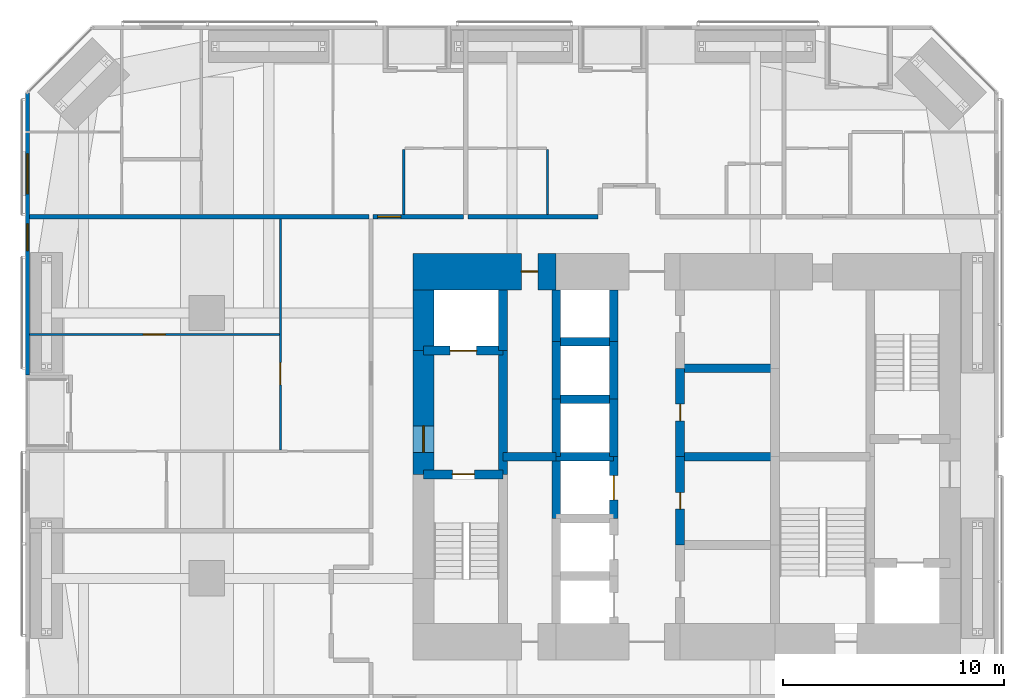
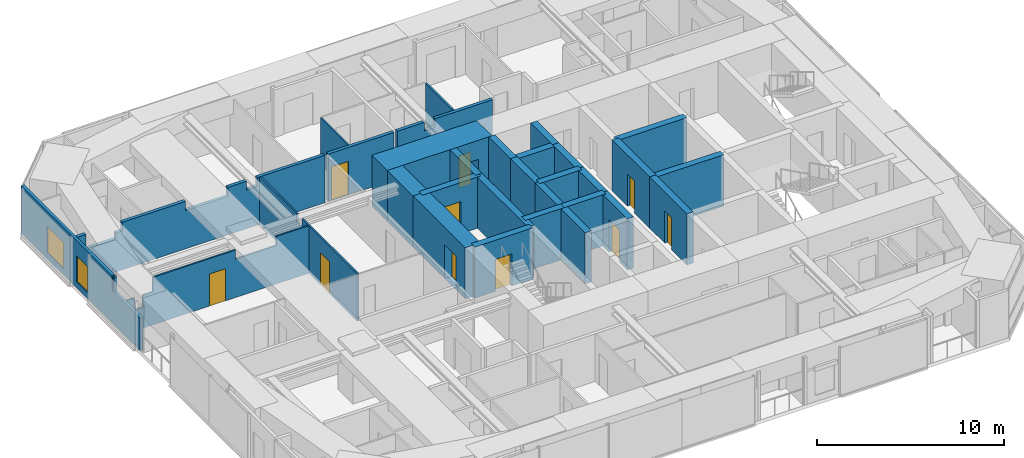
# One storey, part 19 of 24: 31 walls, 10 doors, 2 windows, 12 openings.
"""IFC4 building model written with IfcOpenShell, lengths in metres."""

from ifc_helpers import new_model, si_unit, direction, frame, frame_2d, origin, place, context, subcontext, project, spatial, polyline, rectangle, outline, extrude, material, layer, layer_set, constituent, constituent_set, type_object, element, fill, save


model = new_model("IFC4")

# Units and contexts
model_context = context("Model", 3, precision=1e-05, world=origin(), true_north=direction((0.0, 1.0)))
body_context = subcontext(model_context, "Body", "Model", "MODEL_VIEW")
ifc_project = project(units=[si_unit("LENGTHUNIT", "METRE"), si_unit("AREAUNIT", "SQUARE_METRE"), si_unit("VOLUMEUNIT", "CUBIC_METRE"), si_unit("PLANEANGLEUNIT", "RADIAN"), si_unit("MASSUNIT", "GRAM", prefix="KILO")], contexts=[model_context])

# Site, building, storey
site_placement = place(None, origin())
site = spatial("IfcSite", under=ifc_project, at=site_placement, CompositionType="ELEMENT")
building_placement = place(site_placement, origin())
building = spatial("IfcBuilding", under=site, at=building_placement, Name="Jalousie Tower", CompositionType="ELEMENT")
storey_placement = place(building_placement, frame((0.0, 0.0, 44.449951171875)))
storey = spatial("IfcBuildingStorey", under=building, at=storey_placement, Name="L11", CompositionType="ELEMENT", Elevation=44.449951171875)

# Wall, opening, door
ifc_material_1 = material(Name="Concrete f'c 120 MPa", Category="concrete")
ifc_layer_1 = layer(ifc_material_1, 1.64990234375)
ifc_layer_set_1 = layer_set([ifc_layer_1], Name="Concrete f'c 120 MPa")
wall_type_1 = type_object("IfcWallType", Name="CORE WALL 1650", PredefinedType="SHEAR", material=ifc_layer_set_1)
wall_1_placement = place(storey_placement, frame((26.0, 26.875, 0.0), z_axis=(0.0, 0.0, 1.0), x_axis=(-1.0, 0.0, 0.0)))
wall_1 = element("IfcWall", 1, at=wall_1_placement, inside=storey, type_object=wall_type_1, Name="Core wall ND L11", PredefinedType="SHEAR", context=body_context, shape_type="SweptSolid", body=[
    extrude(rectangle(XDim=6.47509765625, YDim=1.64990234375, at=frame_2d((3.237548828125, 0.0))), origin(), (0.0, 0.0, 1.0), 3.35009765625),
])
opening_1_placement = place(wall_1_placement, frame((0.824951171875, 0.0, 0.0)))
opening_1 = element("IfcOpeningElement", 2, at=opening_1_placement, cuts=wall_1, Name="Opening D16", PredefinedType="OPENING", context=body_context, shape_type="SweptSolid", body=[
    extrude(rectangle(XDim=0.75, YDim=2.10009765625, at=frame_2d((0.375, 1.050048828125))), frame((0.0, 0.8349609375, 0.0), z_axis=(0.0, -1.0, 0.0), x_axis=(1.0, 0.0, 0.0)), (0.0, 0.0, 1.0), 1.669921875),
])
ifc_material_2 = material(Name="Steel fire door", Category="steel")
door_type_1 = type_object("IfcDoorType", Name="RISER DOOR 750", OperationType="SINGLE_SWING_LEFT", PredefinedType="DOOR", material=ifc_material_2)
door_1_placement = place(opening_1_placement, origin())
door_1 = element("IfcDoor", 3, at=door_1_placement, inside=storey, type_object=door_type_1, Name="North riser door", OperationType="SINGLE_SWING_RIGHT", OverallHeight=2.10009765625, OverallWidth=0.75, PredefinedType="DOOR", context=body_context, shape_type="SweptSolid", body=[
    extrude(rectangle(XDim=0.75, YDim=2.10009765625, at=frame_2d((0.375, 1.050048828125))), frame((0.0, 0.02490234375, 0.0), z_axis=(0.0, -1.0, 0.0), x_axis=(1.0, 0.0, 0.0)), (0.0, 0.0, 1.0), 0.050048828125),
])
fill(opening_1, door_1)

# Walls
ifc_material_3 = material(Name="Concrete f'c 120 MPa", Category="concrete")
ifc_layer_2 = layer(ifc_material_3, 0.39990234375)
ifc_layer_set_2 = layer_set([ifc_layer_2], Name="Concrete f'c 120 MPa")
wall_type_2 = type_object("IfcWallType", Name="CORE WALL 400", PredefinedType="SHEAR", material=ifc_layer_set_2)
wall_2_placement = place(storey_placement, frame((23.60009765625, 17.699951171875, 0.0), z_axis=(0.0, 0.0, 1.0), x_axis=(0.0, 1.0, 0.0)))
element("IfcWall", 4, at=wall_2_placement, inside=storey, type_object=wall_type_2, Name="Core wall X23.6B L11", PredefinedType="SHEAR", context=body_context, shape_type="SweptSolid", body=[
    extrude(rectangle(XDim=5.60009765625, YDim=0.39990234375, at=frame_2d((2.800048828125, 0.0))), origin(), (0.0, 0.0, 1.0), 3.35009765625),
])
wall_3_placement = place(storey_placement, frame((23.60009765625, 23.300048828125, 0.0), z_axis=(0.0, 0.0, 1.0), x_axis=(0.0, 1.0, 0.0)))
element("IfcWall", 5, at=wall_3_placement, inside=storey, type_object=wall_type_2, Name="Core wall X23.6C L11", PredefinedType="SHEAR", context=body_context, shape_type="SweptSolid", body=[
    extrude(rectangle(XDim=2.75, YDim=0.39990234375, at=frame_2d((1.375, 0.0))), origin(), (0.0, 0.0, 1.0), 3.35009765625),
])
wall_4_placement = place(storey_placement, frame((26.0, 15.699951171875, 0.0), z_axis=(0.0, 0.0, 1.0), x_axis=(0.0, 1.0, 0.0)))
element("IfcWall", 6, at=wall_4_placement, inside=storey, type_object=wall_type_2, Name="Core wall X26C L11", PredefinedType="SHEAR", context=body_context, shape_type="SweptSolid", body=[
    extrude(rectangle(XDim=2.800048828125, YDim=0.39990234375, at=frame_2d((1.39990234375, 0.0))), origin(), (0.0, 0.0, 1.0), 3.35009765625),
])
wall_5_placement = place(storey_placement, frame((26.0, 18.5, 0.0), z_axis=(0.0, 0.0, 1.0), x_axis=(0.0, 1.0, 0.0)))
element("IfcWall", 7, at=wall_5_placement, inside=storey, type_object=wall_type_2, Name="Core wall X26D L11", PredefinedType="SHEAR", context=body_context, shape_type="SweptSolid", body=[
    extrude(rectangle(XDim=2.60009765625, YDim=0.39990234375, at=frame_2d((1.300048828125, 0.0))), origin(), (0.0, 0.0, 1.0), 3.35009765625),
])
wall_6_placement = place(storey_placement, frame((26.0, 21.10009765625, 0.0), z_axis=(0.0, 0.0, 1.0), x_axis=(0.0, 1.0, 0.0)))
element("IfcWall", 8, at=wall_6_placement, inside=storey, type_object=wall_type_2, Name="Core wall X26E L11", PredefinedType="SHEAR", context=body_context, shape_type="SweptSolid", body=[
    extrude(rectangle(XDim=2.599853515625, YDim=0.39990234375, at=frame_2d((1.2998046875, 0.0))), origin(), (0.0, 0.0, 1.0), 3.35009765625),
])
wall_7_placement = place(storey_placement, frame((26.0, 23.699951171875, 0.0), z_axis=(0.0, 0.0, 1.0), x_axis=(0.0, 1.0, 0.0)))
element("IfcWall", 9, at=wall_7_placement, inside=storey, type_object=wall_type_2, Name="Core wall X26F L11", PredefinedType="SHEAR", context=body_context, shape_type="SweptSolid", body=[
    extrude(rectangle(XDim=2.35009765625, YDim=0.39990234375, at=frame_2d((1.175048828125, 0.0))), origin(), (0.0, 0.0, 1.0), 3.35009765625),
])

# Wall, opening, door
wall_8_placement = place(storey_placement, frame((28.60009765625, 15.699951171875, 0.0), z_axis=(0.0, 0.0, 1.0), x_axis=(0.0, 1.0, 0.0)))
wall_8 = element("IfcWall", 10, at=wall_8_placement, inside=storey, type_object=wall_type_2, Name="Core wall X28.6C L11", PredefinedType="SHEAR", context=body_context, shape_type="SweptSolid", body=[
    extrude(rectangle(XDim=2.800048828125, YDim=0.39990234375, at=frame_2d((1.39990234375, 0.0))), origin(), (0.0, 0.0, 1.0), 3.35009765625),
])
opening_2_placement = place(wall_8_placement, frame((0.85009765625, 0.0, 0.0)))
opening_2 = element("IfcOpeningElement", 11, at=opening_2_placement, cuts=wall_8, Name="Opening LD1", PredefinedType="OPENING", context=body_context, shape_type="SweptSolid", body=[
    extrude(rectangle(XDim=1.10009765625, YDim=2.10009765625, at=frame_2d((0.550048828125, 1.050048828125))), frame((0.0, 0.2099609375, 0.0), z_axis=(0.0, -1.0, 0.0), x_axis=(1.0, 0.0, 0.0)), (0.0, 0.0, 1.0), 0.419921875),
])
ifc_material_4 = material(Name="Steel lift landing door", Category="steel")
door_type_2 = type_object("IfcDoorType", Name="LIFT LANDING DOOR 1100", OperationType="SLIDING_TO_LEFT", PredefinedType="DOOR", material=ifc_material_4)
door_2_placement = place(opening_2_placement, origin())
door_2 = element("IfcDoor", 12, at=door_2_placement, inside=storey, type_object=door_type_2, Name="Lift P3 landing door", OperationType="SLIDING_TO_LEFT", OverallHeight=2.10009765625, OverallWidth=1.10009765625, PredefinedType="DOOR", context=body_context, shape_type="SweptSolid", body=[
    extrude(rectangle(XDim=1.10009765625, YDim=2.10009765625, at=frame_2d((0.550048828125, 1.050048828125))), frame((0.0, 0.02490234375, 0.0), z_axis=(0.0, -1.0, 0.0), x_axis=(1.0, 0.0, 0.0)), (0.0, 0.0, 1.0), 0.050048828125),
])
fill(opening_2, door_2)

# Walls
wall_9_placement = place(storey_placement, frame((28.60009765625, 18.5, 0.0), z_axis=(0.0, 0.0, 1.0), x_axis=(0.0, 1.0, 0.0)))
element("IfcWall", 13, at=wall_9_placement, inside=storey, type_object=wall_type_2, Name="Core wall X28.6D L11", PredefinedType="SHEAR", context=body_context, shape_type="SweptSolid", body=[
    extrude(rectangle(XDim=2.60009765625, YDim=0.39990234375, at=frame_2d((1.300048828125, 0.0))), origin(), (0.0, 0.0, 1.0), 3.35009765625),
])
wall_10_placement = place(storey_placement, frame((28.60009765625, 21.10009765625, 0.0), z_axis=(0.0, 0.0, 1.0), x_axis=(0.0, 1.0, 0.0)))
element("IfcWall", 14, at=wall_10_placement, inside=storey, type_object=wall_type_2, Name="Core wall X28.6E L11", PredefinedType="SHEAR", context=body_context, shape_type="SweptSolid", body=[
    extrude(rectangle(XDim=2.599853515625, YDim=0.39990234375, at=frame_2d((1.2998046875, 0.0))), origin(), (0.0, 0.0, 1.0), 3.35009765625),
])
wall_11_placement = place(storey_placement, frame((28.60009765625, 23.699951171875, 0.0), z_axis=(0.0, 0.0, 1.0), x_axis=(0.0, 1.0, 0.0)))
element("IfcWall", 15, at=wall_11_placement, inside=storey, type_object=wall_type_2, Name="Core wall X28.6F L11", PredefinedType="SHEAR", context=body_context, shape_type="SweptSolid", body=[
    extrude(rectangle(XDim=2.35009765625, YDim=0.39990234375, at=frame_2d((1.175048828125, 0.0))), origin(), (0.0, 0.0, 1.0), 3.35009765625),
])

# Wall, opening, door
wall_12_placement = place(storey_placement, frame((31.60009765625, 14.5, 0.0), z_axis=(0.0, 0.0, 1.0), x_axis=(0.0, 1.0, 0.0)))
wall_12 = element("IfcWall", 16, at=wall_12_placement, inside=storey, type_object=wall_type_2, Name="Core wall X31.6B L11", PredefinedType="SHEAR", context=body_context, shape_type="SweptSolid", body=[
    extrude(rectangle(XDim=4.0, YDim=0.39990234375, at=frame_2d((2.0, 0.0))), origin(), (0.0, 0.0, 1.0), 3.35009765625),
])
opening_3_placement = place(wall_12_placement, frame((1.625, 0.0, 0.0)))
opening_3 = element("IfcOpeningElement", 17, at=opening_3_placement, cuts=wall_12, Name="Opening D16", PredefinedType="OPENING", context=body_context, shape_type="SweptSolid", body=[
    extrude(rectangle(XDim=0.75, YDim=2.10009765625, at=frame_2d((0.375, 1.050048828125))), frame((0.0, 0.2099609375, 0.0), z_axis=(0.0, -1.0, 0.0), x_axis=(1.0, 0.0, 0.0)), (0.0, 0.0, 1.0), 0.419921875),
])
door_3_placement = place(opening_3_placement, frame((0.75, 0.0, 0.0), z_axis=(0.0, 0.0, 1.0), x_axis=(-1.0, 0.0, 0.0)))
door_3 = element("IfcDoor", 18, at=door_3_placement, inside=storey, type_object=door_type_1, Name="Electrical Room door", OperationType="SINGLE_SWING_LEFT", OverallHeight=2.10009765625, OverallWidth=0.75, PredefinedType="DOOR", context=body_context, shape_type="SweptSolid", body=[
    extrude(rectangle(XDim=0.75, YDim=2.10009765625, at=frame_2d((0.375, 1.050048828125))), frame((0.0, 0.02490234375, 0.0), z_axis=(0.0, -1.0, 0.0), x_axis=(1.0, 0.0, 0.0)), (0.0, 0.0, 1.0), 0.050048828125),
])
fill(opening_3, door_3)

wall_13_placement = place(storey_placement, frame((31.60009765625, 18.5, 0.0), z_axis=(0.0, 0.0, 1.0), x_axis=(0.0, 1.0, 0.0)))
wall_13 = element("IfcWall", 19, at=wall_13_placement, inside=storey, type_object=wall_type_2, Name="Core wall X31.6C L11", PredefinedType="SHEAR", context=body_context, shape_type="SweptSolid", body=[
    extrude(rectangle(XDim=4.0, YDim=0.39990234375, at=frame_2d((2.0, 0.0))), origin(), (0.0, 0.0, 1.0), 3.35009765625),
])
opening_4_placement = place(wall_13_placement, frame((1.625, 0.0, 0.0)))
opening_4 = element("IfcOpeningElement", 20, at=opening_4_placement, cuts=wall_13, Name="Opening D16", PredefinedType="OPENING", context=body_context, shape_type="SweptSolid", body=[
    extrude(rectangle(XDim=0.75, YDim=2.10009765625, at=frame_2d((0.375, 1.050048828125))), frame((0.0, 0.2099609375, 0.0), z_axis=(0.0, -1.0, 0.0), x_axis=(1.0, 0.0, 0.0)), (0.0, 0.0, 1.0), 0.419921875),
])
door_4_placement = place(opening_4_placement, frame((0.75, 0.0, 0.0), z_axis=(0.0, 0.0, 1.0), x_axis=(-1.0, 0.0, 0.0)))
door_4 = element("IfcDoor", 21, at=door_4_placement, inside=storey, type_object=door_type_1, Name="Telecom Room door", OperationType="SINGLE_SWING_LEFT", OverallHeight=2.10009765625, OverallWidth=0.75, PredefinedType="DOOR", context=body_context, shape_type="SweptSolid", body=[
    extrude(rectangle(XDim=0.75, YDim=2.10009765625, at=frame_2d((0.375, 1.050048828125))), frame((0.0, 0.02490234375, 0.0), z_axis=(0.0, -1.0, 0.0), x_axis=(1.0, 0.0, 0.0)), (0.0, 0.0, 1.0), 0.050048828125),
])
fill(opening_4, door_4)

wall_14_placement = place(storey_placement, frame((20.0, 17.699951171875, 0.0), z_axis=(0.0, 0.0, 1.0), x_axis=(1.0, 0.0, 0.0)))
wall_14 = element("IfcWall", 22, at=wall_14_placement, inside=storey, type_object=wall_type_2, Name="Core wall Y20-17.7 L11", PredefinedType="SHEAR", context=body_context, shape_type="SweptSolid", body=[
    extrude(rectangle(XDim=3.60009765625, YDim=0.39990234375, at=frame_2d((1.800048828125, 0.0))), origin(), (0.0, 0.0, 1.0), 3.35009765625),
])
opening_5_placement = place(wall_14_placement, frame((1.300048828125, 0.0, 0.0)))
opening_5 = element("IfcOpeningElement", 23, at=opening_5_placement, cuts=wall_14, Name="Opening D10", PredefinedType="OPENING", context=body_context, shape_type="SweptSolid", body=[
    extrude(rectangle(XDim=1.0, YDim=2.10009765625, at=frame_2d((0.5, 1.050048828125))), frame((0.0, 0.2099609375, 0.0), z_axis=(0.0, -1.0, 0.0), x_axis=(1.0, 0.0, 0.0)), (0.0, 0.0, 1.0), 0.419921875),
])
ifc_material_5 = material(Name="Steel fire door", Category="steel")
door_type_3 = type_object("IfcDoorType", Name="STAIR DOOR 1000", OperationType="SINGLE_SWING_LEFT", PredefinedType="DOOR", material=ifc_material_5)
door_5_placement = place(opening_5_placement, frame((1.0, 0.0, 0.0), z_axis=(0.0, 0.0, 1.0), x_axis=(-1.0, 0.0, 0.0)))
door_5 = element("IfcDoor", 24, at=door_5_placement, inside=storey, type_object=door_type_3, Name="Exit stair A door", OperationType="SINGLE_SWING_RIGHT", OverallHeight=2.10009765625, OverallWidth=1.0, PredefinedType="DOOR", context=body_context, shape_type="SweptSolid", body=[
    extrude(rectangle(XDim=1.0, YDim=2.10009765625, at=frame_2d((0.5, 1.050048828125))), frame((0.0, 0.02490234375, 0.0), z_axis=(0.0, -1.0, 0.0), x_axis=(1.0, 0.0, 0.0)), (0.0, 0.0, 1.0), 0.050048828125),
])
fill(opening_5, door_5)

wall_15_placement = place(storey_placement, frame((20.0, 23.300048828125, 0.0), z_axis=(0.0, 0.0, 1.0), x_axis=(1.0, 0.0, 0.0)))
wall_15 = element("IfcWall", 25, at=wall_15_placement, inside=storey, type_object=wall_type_2, Name="Core wall Y20-23.3 L11", PredefinedType="SHEAR", context=body_context, shape_type="SweptSolid", body=[
    extrude(rectangle(XDim=3.60009765625, YDim=0.39990234375, at=frame_2d((1.800048828125, 0.0))), origin(), (0.0, 0.0, 1.0), 3.35009765625),
])
opening_6_placement = place(wall_15_placement, frame((1.199951171875, 0.0, 0.0)))
opening_6 = element("IfcOpeningElement", 26, at=opening_6_placement, cuts=wall_15, Name="Opening LD2", PredefinedType="OPENING", context=body_context, shape_type="SweptSolid", body=[
    extrude(rectangle(XDim=1.199951171875, YDim=2.10009765625, at=frame_2d((0.60009765625, 1.050048828125))), frame((0.0, 0.2099609375, 0.0), z_axis=(0.0, -1.0, 0.0), x_axis=(1.0, 0.0, 0.0)), (0.0, 0.0, 1.0), 0.419921875),
])
ifc_material_6 = material(Name="Steel lift landing door", Category="steel")
door_type_4 = type_object("IfcDoorType", Name="LIFT LANDING DOOR 1200", OperationType="SLIDING_TO_LEFT", PredefinedType="DOOR", material=ifc_material_6)
door_6_placement = place(opening_6_placement, origin())
door_6 = element("IfcDoor", 27, at=door_6_placement, inside=storey, type_object=door_type_4, Name="Lift F1 landing door", OperationType="SLIDING_TO_LEFT", OverallHeight=2.10009765625, OverallWidth=1.199951171875, PredefinedType="DOOR", context=body_context, shape_type="SweptSolid", body=[
    extrude(rectangle(XDim=1.199951171875, YDim=2.10009765625, at=frame_2d((0.60009765625, 1.050048828125))), frame((0.0, 0.02490234375, 0.0), z_axis=(0.0, -1.0, 0.0), x_axis=(1.0, 0.0, 0.0)), (0.0, 0.0, 1.0), 0.050048828125),
])
fill(opening_6, door_6)

# Walls
wall_16_placement = place(storey_placement, frame((23.60009765625, 18.5, 0.0), z_axis=(0.0, 0.0, 1.0), x_axis=(1.0, 0.0, 0.0)))
element("IfcWall", 28, at=wall_16_placement, inside=storey, type_object=wall_type_2, Name="Core wall Y23.6-18.5 L11", PredefinedType="SHEAR", context=body_context, shape_type="SweptSolid", body=[
    extrude(rectangle(XDim=2.39990234375, YDim=0.39990234375, at=frame_2d((1.199951171875, 0.0))), origin(), (0.0, 0.0, 1.0), 3.35009765625),
])
for number, where, z_axis, x_axis, name in (
    (29, (26.0, 18.5, 0.0), (0.0, 0.0, 1.0), (1.0, 0.0, 0.0), "Core wall Y26-18.5 L11"),
    (30, (26.0, 21.10009765625, 0.0), (0.0, 0.0, 1.0), (1.0, 0.0, 0.0), "Core wall Y26-21.1 L11"),
    (31, (26.0, 23.699951171875, 0.0), (0.0, 0.0, 1.0), (1.0, 0.0, 0.0), "Core wall Y26-23.7 L11"),
):
    element("IfcWall", number, at=place(storey_placement, frame(where, z_axis=z_axis, x_axis=x_axis)), inside=storey, type_object=wall_type_2, Name=name, PredefinedType="SHEAR", context=body_context, shape_type="SweptSolid", body=[
        extrude(rectangle(XDim=2.60009765625, YDim=0.39990234375, at=frame_2d((1.300048828125, 0.0))), origin(), (0.0, 0.0, 1.0), 3.35009765625),
    ])
for number, where, z_axis, x_axis, name in (
    (32, (31.60009765625, 18.5, 0.0), (0.0, 0.0, 1.0), (1.0, 0.0, 0.0), "Core wall Y31.6-18.5 L11"),
    (33, (31.60009765625, 22.5, 0.0), (0.0, 0.0, 1.0), (1.0, 0.0, 0.0), "Core wall Y31.6-22.5 L11"),
):
    element("IfcWall", number, at=place(storey_placement, frame(where, z_axis=z_axis, x_axis=x_axis)), inside=storey, type_object=wall_type_2, Name=name, PredefinedType="SHEAR", context=body_context, shape_type="SweptSolid", body=[
        extrude(rectangle(XDim=4.2998046875, YDim=0.39990234375, at=frame_2d((2.14990234375, 0.0))), origin(), (0.0, 0.0, 1.0), 3.35009765625),
    ])
ifc_material_7 = material(Name="Concrete f'c 120 MPa", Category="concrete")
ifc_layer_3 = layer(ifc_material_7, 0.949951171875)
ifc_layer_set_3 = layer_set([ifc_layer_3], Name="Concrete f'c 120 MPa")
wall_type_3 = type_object("IfcWallType", Name="CORE WALL 950", PredefinedType="SHEAR", material=ifc_layer_set_3)
wall_17_placement = place(storey_placement, frame((20.0, 26.050048828125, 0.0), z_axis=(0.0, 0.0, 1.0), x_axis=(0.0, -1.0, 0.0)))
element("IfcWall", 34, at=wall_17_placement, inside=storey, type_object=wall_type_3, Name="Core wall WA L11", PredefinedType="SHEAR", context=body_context, shape_type="SweptSolid", body=[
    extrude(rectangle(XDim=2.75, YDim=0.949951171875, at=frame_2d((1.375, 0.0))), origin(), (0.0, 0.0, 1.0), 3.35009765625),
])

# Wall, opening, door
wall_18_placement = place(storey_placement, frame((20.0, 23.300048828125, 0.0), z_axis=(0.0, 0.0, 1.0), x_axis=(0.0, -1.0, 0.0)))
wall_18 = element("IfcWall", 35, at=wall_18_placement, inside=storey, type_object=wall_type_3, Name="Core wall WB L11", PredefinedType="SHEAR", context=body_context, shape_type="SweptSolid", body=[
    extrude(rectangle(XDim=5.60009765625, YDim=0.949951171875, at=frame_2d((2.800048828125, 0.0))), origin(), (0.0, 0.0, 1.0), 3.35009765625),
])
opening_7_placement = place(wall_18_placement, frame((3.39990234375, 0.0, 0.0)))
opening_7 = element("IfcOpeningElement", 36, at=opening_7_placement, cuts=wall_18, Name="Opening D11", PredefinedType="OPENING", context=body_context, shape_type="SweptSolid", body=[
    extrude(rectangle(XDim=1.199951171875, YDim=2.199951171875, at=frame_2d((0.60009765625, 1.10009765625))), frame((0.0, 0.48486328125, 0.0), z_axis=(0.0, -1.0, 0.0), x_axis=(1.0, 0.0, 0.0)), (0.0, 0.0, 1.0), 0.969970703125),
])
ifc_material_8 = material(Name="Steel fire door", Category="steel")
door_type_5 = type_object("IfcDoorType", Name="FIRE DOOR 1200", OperationType="SINGLE_SWING_LEFT", PredefinedType="DOOR", material=ifc_material_8)
door_7_placement = place(opening_7_placement, origin())
door_7 = element("IfcDoor", 37, at=door_7_placement, inside=storey, type_object=door_type_5, Name="Fire-fighting lobby A door", OperationType="SINGLE_SWING_RIGHT", OverallHeight=2.199951171875, OverallWidth=1.199951171875, PredefinedType="DOOR", context=body_context, shape_type="SweptSolid", body=[
    extrude(rectangle(XDim=1.199951171875, YDim=2.199951171875, at=frame_2d((0.60009765625, 1.10009765625))), frame((0.0, 0.02490234375, 0.0), z_axis=(0.0, -1.0, 0.0), x_axis=(1.0, 0.0, 0.0)), (0.0, 0.0, 1.0), 0.050048828125),
])
fill(opening_7, door_7)

ifc_material_9 = material(Name="Concrete block ASTM C90", Category="concrete")
ifc_constituent_1 = constituent(ifc_material_9, Name="Body")
ifc_material_10 = material(Name="Render")
ifc_constituent_2 = constituent(ifc_material_10, Name="Finish")
ifc_constituent_set_1 = constituent_set(constituents=[ifc_constituent_1, ifc_constituent_2])
wall_type_4 = type_object("IfcWallType", Name="CORRIDOR WALL 200", PredefinedType="PARTITIONING", material=ifc_constituent_set_1)
wall_19_placement = place(storey_placement, frame((17.72509765625, 29.35009765625, 0.0), z_axis=(0.0, 0.0, 1.0), x_axis=(1.0, 0.0, 0.0)))
wall_19 = element("IfcWall", 38, at=wall_19_placement, inside=storey, type_object=wall_type_4, Name="Corridor Wall 200 L11", PredefinedType="PARTITIONING", context=body_context, shape_type="SweptSolid", body=[
    extrude(rectangle(XDim=4.074951171875, YDim=0.199951171875, at=frame_2d((2.03759765625, 0.0))), origin(), (0.0, 0.0, 1.0), 3.110107421875),
])
opening_8_placement = place(wall_19_placement, frame((0.199951171875, 0.0, 0.0)))
opening_8 = element("IfcOpeningElement", 39, at=opening_8_placement, cuts=wall_19, Name="Opening D1", PredefinedType="OPENING", context=body_context, shape_type="SweptSolid", body=[
    extrude(rectangle(XDim=1.050048828125, YDim=2.199951171875, at=frame_2d((0.52490234375, 1.10009765625))), frame((0.0, 0.10986328125, 0.0), z_axis=(0.0, -1.0, 0.0), x_axis=(1.0, 0.0, 0.0)), (0.0, 0.0, 1.0), 0.219970703125),
])
ifc_material_11 = material(Name="Timber fire door", Category="wood")
door_type_6 = type_object("IfcDoorType", Name="APARTMENT ENTRANCE DOOR 1050", OperationType="SINGLE_SWING_LEFT", PredefinedType="DOOR", material=ifc_material_11)
door_8_placement = place(opening_8_placement, origin())
door_8 = element("IfcDoor", 40, at=door_8_placement, inside=storey, type_object=door_type_6, Name="Apartment 1103 entrance", OperationType="SINGLE_SWING_RIGHT", OverallHeight=2.199951171875, OverallWidth=1.050048828125, PredefinedType="DOOR", context=body_context, shape_type="SweptSolid", body=[
    extrude(rectangle(XDim=1.050048828125, YDim=2.199951171875, at=frame_2d((0.52490234375, 1.10009765625))), frame((0.0, 0.02490234375, 0.0), z_axis=(0.0, -1.0, 0.0), x_axis=(1.0, 0.0, 0.0)), (0.0, 0.0, 1.0), 0.050048828125),
])
fill(opening_8, door_8)

# Wall
wall_20_placement = place(storey_placement, frame((22.0, 29.35009765625, 0.0), z_axis=(0.0, 0.0, 1.0), x_axis=(1.0, 0.0, 0.0)))
element("IfcWall", 41, at=wall_20_placement, inside=storey, type_object=wall_type_4, Name="Corridor Wall 200 L11", PredefinedType="PARTITIONING", context=body_context, shape_type="SweptSolid", body=[
    extrude(outline(polyline([(0.0, 0.0), (5.89990234375, 0.0), (5.89990234375, 3.110107421875), (2.33740234375, 3.110107421875), (2.33740234375, 2.541015625), (1.66259765625, 2.541015625), (1.66259765625, 3.110107421875), (0.0, 3.110107421875), (0.0, 0.0)])), frame((0.0, 0.10009765625, 0.0), z_axis=(0.0, -1.0, 0.0), x_axis=(1.0, 0.0, 0.0)), (0.0, 0.0, 1.0), 0.199951171875),
])

# Wall, openings, windows
ifc_material_12 = material(Name="Concrete f'c 40 MPa", Category="concrete")
ifc_constituent_3 = constituent(ifc_material_12, Name="Body")
ifc_material_13 = material(Name="Render, pastel coral")
ifc_constituent_4 = constituent(ifc_material_13, Name="Finish")
ifc_constituent_set_2 = constituent_set(constituents=[ifc_constituent_3, ifc_constituent_4])
wall_type_5 = type_object("IfcWallType", Name="EXTERNAL WALL 175 CORAL RENDER", PredefinedType="SOLIDWALL", material=ifc_constituent_set_2)
wall_21_placement = place(storey_placement, frame((2.08740234375, 34.94873046875, 0.0), z_axis=(0.0, 0.0, 1.0), x_axis=(0.0, -1.0, 0.0)))
wall_21 = element("IfcWall", 42, at=wall_21_placement, inside=storey, type_object=wall_type_5, Name="External Wall 175 Coral Render L11", PredefinedType="SOLIDWALL", context=body_context, shape_type="SweptSolid", body=[
    extrude(outline(polyline([(0.0, 0.0), (12.748779296875, 0.0), (12.748779296875, 2.150146484375), (9.94873046875, 2.150146484375), (9.94873046875, 3.110107421875), (9.822998046875, 3.110107421875), (9.822998046875, 2.150146484375), (9.72998046875, 2.150146484375), (9.72998046875, 3.110107421875), (0.0, 3.110107421875), (0.0, 0.0)])), frame((0.0, 0.08740234375, 0.0), z_axis=(0.0, -1.0, 0.0), x_axis=(1.0, 0.0, 0.0)), (0.0, 0.0, 1.0), 0.175048828125),
])
opening_9_placement = place(wall_21_placement, frame((2.75732421875, 0.0, 0.39990234375)))
opening_9 = element("IfcOpeningElement", 43, at=opening_9_placement, cuts=wall_21, Name="Opening W-BED170", PredefinedType="OPENING", context=body_context, shape_type="SweptSolid", body=[
    extrude(rectangle(XDim=1.800048828125, YDim=1.699951171875, at=frame_2d((0.89990234375, 0.85009765625))), frame((0.0, 0.097412109375, 0.0), z_axis=(0.0, -1.0, 0.0), x_axis=(1.0, 0.0, 0.0)), (0.0, 0.0, 1.0), 0.195068359375),
])
opening_10_placement = place(wall_21_placement, frame((5.923583984375, 0.0, 0.39990234375)))
opening_10 = element("IfcOpeningElement", 44, at=opening_10_placement, cuts=wall_21, Name="Opening W-COR170", PredefinedType="OPENING", context=body_context, shape_type="SweptSolid", body=[
    extrude(rectangle(XDim=1.199951171875, YDim=1.699951171875, at=frame_2d((0.60009765625, 0.85009765625))), frame((0.0, 0.097412109375, 0.0), z_axis=(0.0, -1.0, 0.0), x_axis=(1.0, 0.0, 0.0)), (0.0, 0.0, 1.0), 0.195068359375),
])
ifc_material_14 = material(Name="Aluminium frame, impact-rated glazing", Category="aluminium")
window_type_1 = type_object("IfcWindowType", Name="WINDOW BED 1800x1700", PartitioningType="SINGLE_PANEL", PredefinedType="WINDOW", material=ifc_material_14)
window_1_placement = place(opening_9_placement, origin())
window_1 = element("IfcWindow", 45, at=window_1_placement, inside=storey, type_object=window_type_1, Name="Apartment 1103 bedroom 1 window", OverallHeight=1.699951171875, OverallWidth=1.800048828125, PartitioningType="SINGLE_PANEL", PredefinedType="WINDOW", context=body_context, shape_type="SweptSolid", body=[
    extrude(rectangle(XDim=1.800048828125, YDim=1.699951171875, at=frame_2d((0.89990234375, 0.85009765625))), frame((0.0, 0.030029296875, 0.0), z_axis=(0.0, -1.0, 0.0), x_axis=(1.0, 0.0, 0.0)), (0.0, 0.0, 1.0), 0.06005859375),
])
fill(opening_9, window_1)
ifc_material_15 = material(Name="Aluminium frame, impact-rated glazing", Category="aluminium")
window_type_2 = type_object("IfcWindowType", Name="WINDOW COR 1200x1700", PartitioningType="SINGLE_PANEL", PredefinedType="WINDOW", material=ifc_material_15)
window_2_placement = place(opening_10_placement, origin())
window_2 = element("IfcWindow", 46, at=window_2_placement, inside=storey, type_object=window_type_2, Name="Apartment 1106 dining room window", OverallHeight=1.699951171875, OverallWidth=1.199951171875, PartitioningType="SINGLE_PANEL", PredefinedType="WINDOW", context=body_context, shape_type="SweptSolid", body=[
    extrude(rectangle(XDim=1.199951171875, YDim=1.699951171875, at=frame_2d((0.60009765625, 0.85009765625))), frame((0.0, 0.030029296875, 0.0), z_axis=(0.0, -1.0, 0.0), x_axis=(1.0, 0.0, 0.0)), (0.0, 0.0, 1.0), 0.06005859375),
])
fill(opening_10, window_2)

# Walls
ifc_material_16 = material(Name="Gypsum board", Category="gypsum")
ifc_constituent_5 = constituent(ifc_material_16, Name="Body")
ifc_material_17 = material(Name="Light-gauge steel studs ASTM A653 SS Grade 33", Category="steel")
ifc_constituent_6 = constituent(ifc_material_17, Name="Framing")
ifc_constituent_set_3 = constituent_set(constituents=[ifc_constituent_5, ifc_constituent_6])
wall_type_6 = type_object("IfcWallType", Name="PARTITION 100", PredefinedType="PARTITIONING", material=ifc_constituent_set_3)
for number, where, z_axis, x_axis, name in (
    (47, (19.10009765625, 32.39990234375, 0.0), (0.0, 0.0, 1.0), (0.0, -1.0, 0.0), "Partition 100 L11"),
    (48, (25.60009765625, 32.39990234375, 0.0), (0.0, 0.0, 1.0), (0.0, -1.0, 0.0), "Partition 100 L11"),
):
    element("IfcWall", number, at=place(storey_placement, frame(where, z_axis=z_axis, x_axis=x_axis)), inside=storey, type_object=wall_type_6, Name=name, PredefinedType="PARTITIONING", context=body_context, shape_type="SweptSolid", body=[
        extrude(rectangle(XDim=2.949951171875, YDim=0.10009765625, at=frame_2d((1.47509765625, 0.0))), origin(), (0.0, 0.0, 1.0), 3.110107421875),
    ])

# Wall, opening, door
wall_22_placement = place(storey_placement, frame((13.52490234375, 18.800048828125, 0.0), z_axis=(0.0, 0.0, 1.0), x_axis=(0.0, 1.0, 0.0)))
wall_22 = element("IfcWall", 49, at=wall_22_placement, inside=storey, type_object=wall_type_6, Name="Partition 100 L11", PredefinedType="PARTITIONING", context=body_context, shape_type="SweptSolid", body=[
    extrude(outline(polyline([(0.0, 0.0), (10.449951171875, 0.0), (10.449951171875, 3.110107421875), (6.4873046875, 3.110107421875), (6.4873046875, 2.541015625), (5.91259765625, 2.541015625), (5.91259765625, 3.110107421875), (0.0, 3.110107421875), (0.0, 0.0)])), frame((0.0, 0.050048828125, 0.0), z_axis=(0.0, -1.0, 0.0), x_axis=(1.0, 0.0, 0.0)), (0.0, 0.0, 1.0), 0.10009765625),
])
opening_11_placement = place(wall_22_placement, frame((2.949951171875, 0.0, 0.0)))
opening_11 = element("IfcOpeningElement", 50, at=opening_11_placement, cuts=wall_22, Name="Opening D6", PredefinedType="OPENING", context=body_context, shape_type="SweptSolid", body=[
    extrude(rectangle(XDim=1.0, YDim=2.10009765625, at=frame_2d((0.5, 1.050048828125))), frame((0.0, 0.06005859375, 0.0), z_axis=(0.0, -1.0, 0.0), x_axis=(1.0, 0.0, 0.0)), (0.0, 0.0, 1.0), 0.1201171875),
])
ifc_material_18 = material(Name="Timber door", Category="wood")
door_type_7 = type_object("IfcDoorType", Name="INTERNAL DOOR 1000", OperationType="SINGLE_SWING_LEFT", PredefinedType="DOOR", material=ifc_material_18)
door_9_placement = place(opening_11_placement, origin())
door_9 = element("IfcDoor", 51, at=door_9_placement, inside=storey, type_object=door_type_7, Name="Apartment 1106 living room door", OperationType="SINGLE_SWING_RIGHT", OverallHeight=2.10009765625, OverallWidth=1.0, PredefinedType="DOOR", context=body_context, shape_type="SweptSolid", body=[
    extrude(rectangle(XDim=1.0, YDim=2.10009765625, at=frame_2d((0.5, 1.050048828125))), frame((0.0, 0.02490234375, 0.0), z_axis=(0.0, -1.0, 0.0), x_axis=(1.0, 0.0, 0.0)), (0.0, 0.0, 1.0), 0.050048828125),
])
fill(opening_11, door_9)

wall_23_placement = place(storey_placement, frame((2.175048828125, 24.02490234375, 0.0), z_axis=(0.0, 0.0, 1.0), x_axis=(1.0, 0.0, 0.0)))
wall_23 = element("IfcWall", 52, at=wall_23_placement, inside=storey, type_object=wall_type_6, Name="Partition 100 L11", PredefinedType="PARTITIONING", context=body_context, shape_type="SweptSolid", body=[
    extrude(outline(polyline([(0.52880859375, 2.150146484375), (0.0, 2.150146484375), (0.0, 0.0), (0.52880859375, 0.0), (0.52880859375, 0.798095703125), (1.021240234375, 0.798095703125), (1.021240234375, 0.0), (11.300048828125, 0.0), (11.300048828125, 3.110107421875), (9.284912109375, 3.110107421875), (9.284912109375, 2.510009765625), (6.764892578125, 2.510009765625), (6.764892578125, 3.110107421875), (1.635009765625, 3.110107421875), (1.635009765625, 2.150146484375), (1.021240234375, 2.150146484375), (1.021240234375, 1.35205078125), (0.52880859375, 1.35205078125), (0.52880859375, 2.150146484375)])), frame((0.0, 0.050048828125, 0.0), z_axis=(0.0, -1.0, 0.0), x_axis=(1.0, 0.0, 0.0)), (0.0, 0.0, 1.0), 0.10009765625),
])
opening_12_placement = place(wall_23_placement, frame((5.14990234375, 0.0, 0.0)))
opening_12 = element("IfcOpeningElement", 53, at=opening_12_placement, cuts=wall_23, Name="Opening D6", PredefinedType="OPENING", context=body_context, shape_type="SweptSolid", body=[
    extrude(rectangle(XDim=1.0, YDim=2.10009765625, at=frame_2d((0.5, 1.050048828125))), frame((0.0, 0.06005859375, 0.0), z_axis=(0.0, -1.0, 0.0), x_axis=(1.0, 0.0, 0.0)), (0.0, 0.0, 1.0), 0.1201171875),
])
door_10_placement = place(opening_12_placement, origin())
door_10 = element("IfcDoor", 54, at=door_10_placement, inside=storey, type_object=door_type_7, Name="Apartment 1106 dining room door", OperationType="SINGLE_SWING_LEFT", OverallHeight=2.10009765625, OverallWidth=1.0, PredefinedType="DOOR", context=body_context, shape_type="SweptSolid", body=[
    extrude(rectangle(XDim=1.0, YDim=2.10009765625, at=frame_2d((0.5, 1.050048828125))), frame((0.0, 0.02490234375, 0.0), z_axis=(0.0, -1.0, 0.0), x_axis=(1.0, 0.0, 0.0)), (0.0, 0.0, 1.0), 0.050048828125),
])
fill(opening_12, door_10)

# Wall
ifc_material_19 = material(Name="Concrete block ASTM C90", Category="concrete")
ifc_constituent_7 = constituent(ifc_material_19, Name="Body")
ifc_material_20 = material(Name="Render")
ifc_constituent_8 = constituent(ifc_material_20, Name="Finish")
ifc_constituent_set_4 = constituent_set(constituents=[ifc_constituent_7, ifc_constituent_8])
wall_type_7 = type_object("IfcWallType", Name="PARTY WALL 200", PredefinedType="PARTITIONING", material=ifc_constituent_set_4)
wall_24_placement = place(storey_placement, frame((2.0, 29.35009765625, 0.0), z_axis=(0.0, 0.0, 1.0), x_axis=(1.0, 0.0, 0.0)))
element("IfcWall", 55, at=wall_24_placement, inside=storey, type_object=wall_type_7, Name="Party Wall 200 L11", PredefinedType="PARTITIONING", context=body_context, shape_type="SweptSolid", body=[
    extrude(outline(polyline([(0.0, 0.0), (15.52490234375, 0.0), (15.52490234375, 3.110107421875), (11.33740234375, 3.110107421875), (11.33740234375, 2.541015625), (10.66259765625, 2.541015625), (10.66259765625, 3.110107421875), (9.510009765625, 3.110107421875), (9.510009765625, 2.510009765625), (6.889892578125, 2.510009765625), (6.889892578125, 3.110107421875), (2.96875, 3.110107421875), (2.96875, 2.541015625), (2.577392578125, 2.541015625), (2.577392578125, 2.150146484375), (0.7333984375, 2.150146484375), (0.7333984375, 3.110107421875), (0.0, 3.110107421875), (0.0, 0.0)])), frame((0.0, 0.10009765625, 0.0), z_axis=(0.0, -1.0, 0.0), x_axis=(1.0, 0.0, 0.0)), (0.0, 0.0, 1.0), 0.199951171875),
])

save(model, "model.ifc")
